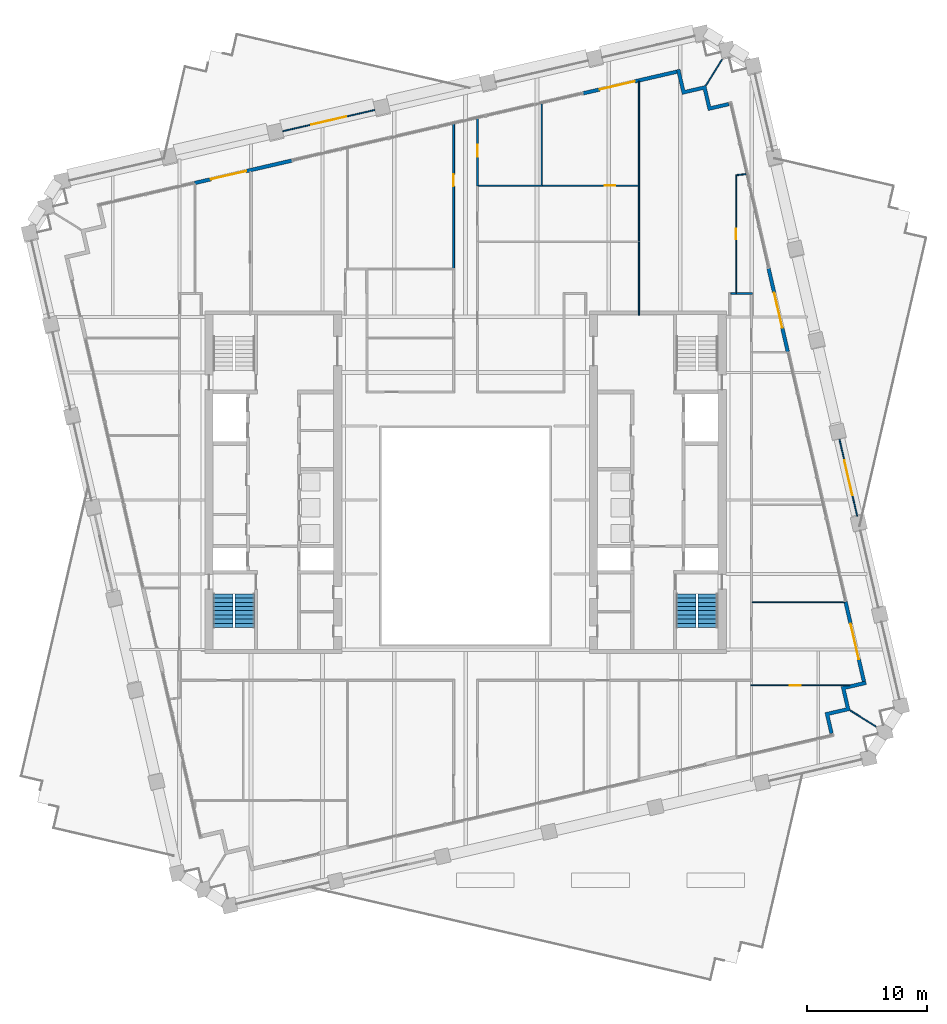
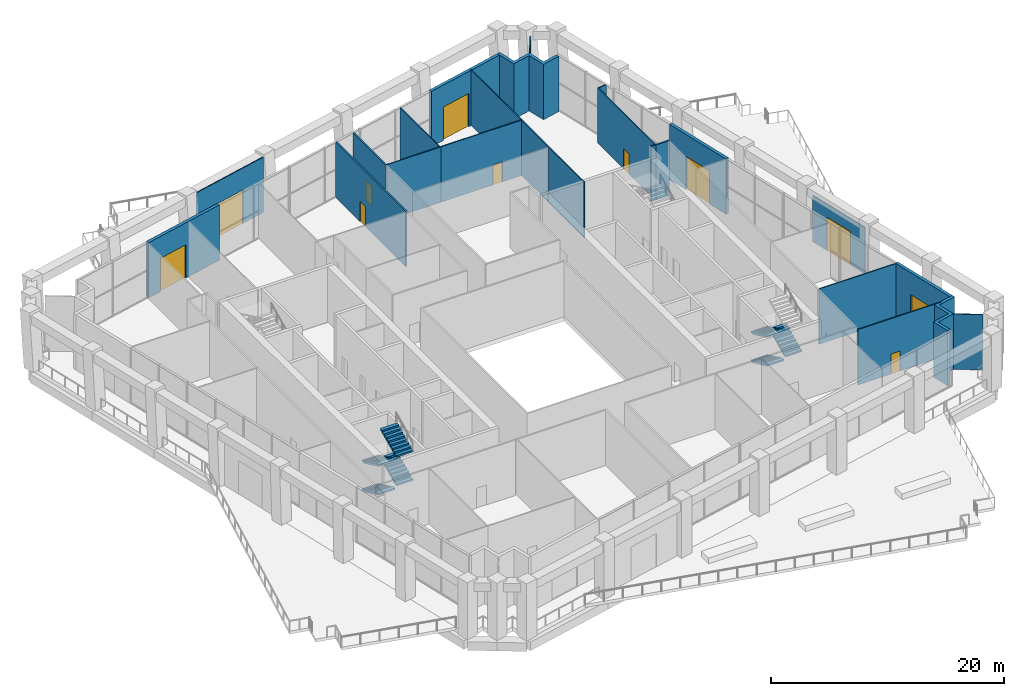
# One storey, part 16 of 24: 24 walls, 11 doors, 7 stair flights, 11 openings, 2 elements without a shape of their own.
"""IFC4 building model written with IfcOpenShell, lengths in metres."""

from ifc_helpers import new_model, si_unit, direction, frame, frame_2d, origin, place, context, subcontext, project, spatial, polyline, rectangle, outline, extrude, material, layer, layer_set, type_object, element, fill, aggregate, save


model = new_model("IFC4")

# Units and contexts
model_context = context("Model", 3, precision=1e-05, world=origin(), true_north=direction((0.0, 1.0)))
body_context = subcontext(model_context, "Body", "Model", "MODEL_VIEW")
ifc_project = project(units=[si_unit("LENGTHUNIT", "METRE"), si_unit("AREAUNIT", "SQUARE_METRE"), si_unit("VOLUMEUNIT", "CUBIC_METRE"), si_unit("PLANEANGLEUNIT", "RADIAN"), si_unit("MASSUNIT", "GRAM", prefix="KILO")], contexts=[model_context])

# Site, building, storey
site_placement = place(None, origin())
site = spatial("IfcSite", under=ifc_project, at=site_placement, CompositionType="ELEMENT")
building_placement = place(site_placement, origin())
building = spatial("IfcBuilding", under=site, at=building_placement, Name="Ogive Exchange Tower", CompositionType="ELEMENT")
storey_placement = place(building_placement, frame((0.0, 0.0, 165.60009765625)))
storey = spatial("IfcBuildingStorey", under=building, at=storey_placement, Name="L36", CompositionType="ELEMENT", Elevation=165.60009765625)

# Wall, opening, door
ifc_material_1 = material(Name="Fire partition EI 60 150")
ifc_layer_1 = layer(ifc_material_1, 0.14990234375)
ifc_layer_set_1 = layer_set([ifc_layer_1], Name="Fire partition EI 60 150")
wall_type_1 = type_object("IfcWallType", Name="Fire partition EI 60 150", PredefinedType="PARTITIONING", material=ifc_layer_set_1)
wall_1_placement = place(storey_placement, frame((-0.989990234375, 29.2900390625, 0.0), z_axis=(0.0, 0.0, 1.0), x_axis=(0.0, 1.0, 0.0)))
wall_1 = element("IfcWall", 1, at=wall_1_placement, inside=storey, type_object=wall_type_1, Name="L36-PWL-037", PredefinedType="PARTITIONING", context=body_context, shape_type="SweptSolid", body=[
    extrude(rectangle(XDim=12.005859375, YDim=0.14990234375, at=frame_2d((6.0029296875, 0.0))), origin(), (0.0, 0.0, 1.0), 5.7998046875),
])
opening_1_placement = place(wall_1_placement, frame((6.830078125, 0.0, 0.0)))
opening_1 = element("IfcOpeningElement", 2, at=opening_1_placement, cuts=wall_1, Name="Opening L36-I05", PredefinedType="OPENING", context=body_context, shape_type="SweptSolid", body=[
    extrude(rectangle(XDim=1.0, YDim=2.10009765625, at=frame_2d((0.5, 1.050048828125))), frame((0.0, 0.0849609375, 0.0), z_axis=(0.0, -1.0, 0.0), x_axis=(1.0, 0.0, 0.0)), (0.0, 0.0, 1.0), 0.169921875),
])
ifc_material_2 = material(Name="Fire door FD 30S 1000 x 2100")
door_type_1 = type_object("IfcDoorType", Name="Fire door FD 30S 1000 x 2100", OperationType="NOTDEFINED", PredefinedType="DOOR", material=ifc_material_2)
door_1_placement = place(opening_1_placement, origin())
door_1 = element("IfcDoor", 3, at=door_1_placement, inside=storey, type_object=door_type_1, Name="L36-IDR-005", ObjectType="DT3", OperationType="SINGLE_SWING_RIGHT", OverallHeight=2.10009765625, OverallWidth=1.0, PredefinedType="DOOR", context=body_context, shape_type="SweptSolid", body=[
    extrude(rectangle(XDim=1.0, YDim=2.10009765625, at=frame_2d((0.5, 1.050048828125))), frame((0.0, 0.02490234375, 0.0), z_axis=(0.0, -1.0, 0.0), x_axis=(1.0, 0.0, 0.0)), (0.0, 0.0, 1.0), 0.050048828125),
])
fill(opening_1, door_1)

wall_2_placement = place(storey_placement, frame((0.989990234375, 41.7529296875, 0.0), z_axis=(0.0, 0.0, 1.0), x_axis=(0.0, -1.0, 0.0)))
wall_2 = element("IfcWall", 4, at=wall_2_placement, inside=storey, type_object=wall_type_1, Name="L36-PWL-042", PredefinedType="PARTITIONING", context=body_context, shape_type="SweptSolid", body=[
    extrude(rectangle(XDim=5.6328125, YDim=0.14990234375, at=frame_2d((2.81640625, 0.0))), origin(), (0.0, 0.0, 1.0), 5.7998046875),
])
opening_2_placement = place(wall_2_placement, frame((2.18310546875, 0.0, 0.0)))
opening_2 = element("IfcOpeningElement", 5, at=opening_2_placement, cuts=wall_2, Name="Opening L36-I23", PredefinedType="OPENING", context=body_context, shape_type="SweptSolid", body=[
    extrude(rectangle(XDim=1.0, YDim=2.10009765625, at=frame_2d((0.5, 1.050048828125))), frame((0.0, 0.0849609375, 0.0), z_axis=(0.0, -1.0, 0.0), x_axis=(1.0, 0.0, 0.0)), (0.0, 0.0, 1.0), 0.169921875),
])
door_2_placement = place(opening_2_placement, origin())
door_2 = element("IfcDoor", 6, at=door_2_placement, inside=storey, type_object=door_type_1, Name="L36-IDR-023", ObjectType="DT3", OperationType="SINGLE_SWING_LEFT", OverallHeight=2.10009765625, OverallWidth=1.0, PredefinedType="DOOR", context=body_context, shape_type="SweptSolid", body=[
    extrude(rectangle(XDim=1.0, YDim=2.10009765625, at=frame_2d((0.5, 1.050048828125))), frame((0.0, 0.02490234375, 0.0), z_axis=(0.0, -1.0, 0.0), x_axis=(1.0, 0.0, 0.0)), (0.0, 0.0, 1.0), 0.050048828125),
])
fill(opening_2, door_2)

# Walls
wall_3_placement = place(storey_placement, frame((22.074951171875, 27.199951171875, 0.0), z_axis=(0.0, 0.0, 1.0), x_axis=(1.0, 0.0, 0.0)))
element("IfcWall", 7, at=wall_3_placement, inside=storey, type_object=wall_type_1, Name="L36-PWL-058", PredefinedType="PARTITIONING", context=body_context, shape_type="SweptSolid", body=[
    extrude(rectangle(XDim=0.445068359375, YDim=0.14990234375, at=frame_2d((0.22265625, 0.0))), origin(), (0.0, 0.0, 1.0), 5.7998046875),
])
wall_4_placement = place(storey_placement, frame((22.52001953125, 27.199951171875, 0.0), z_axis=(0.0, 0.0, 1.0), x_axis=(1.0, 0.0, 0.0)))
element("IfcWall", 8, at=wall_4_placement, inside=storey, type_object=wall_type_1, Name="L36-PWL-062", PredefinedType="PARTITIONING", context=body_context, shape_type="SweptSolid", body=[
    extrude(rectangle(XDim=1.35498046875, YDim=0.14990234375, at=frame_2d((0.677490234375, 0.0))), origin(), (0.0, 0.0, 1.0), 5.7998046875),
])

# Wall, opening, door
ifc_material_3 = material(Name="Precast concrete C40/50", Category="concrete")
ifc_layer_2 = layer(ifc_material_3, 0.300048828125)
ifc_layer_set_2 = layer_set([ifc_layer_2], Name="Limestone-faced wall 300")
wall_type_2 = type_object("IfcWallType", Name="Limestone-faced wall 300", PredefinedType="STANDARD", material=ifc_layer_set_2)
wall_5_placement = place(storey_placement, frame((33.1572265625, -5.092041015625, 0.0), z_axis=(0.0, 0.0, 1.0), x_axis=(-0.224961553766, 0.974367640743, 0.0)))
wall_5 = element("IfcWall", 9, at=wall_5_placement, inside=storey, type_object=wall_type_2, Name="External wall E3", PredefinedType="STANDARD", context=body_context, shape_type="SweptSolid", body=[
    extrude(rectangle(XDim=6.814208984375, YDim=0.300048828125, at=frame_2d((3.4072265625, 0.0))), origin(), (0.0, 0.0, 1.0), 5.7998046875),
])
opening_3_placement = place(wall_5_placement, frame((1.906982421875, 0.0, 0.0)))
opening_3 = element("IfcOpeningElement", 10, at=opening_3_placement, cuts=wall_5, Name="Opening D2", PredefinedType="OPENING", context=body_context, shape_type="SweptSolid", body=[
    extrude(rectangle(XDim=3.0, YDim=3.5, at=frame_2d((1.5, 1.75))), frame((0.0, 0.159912109375, 0.0), z_axis=(0.0, -1.0, 0.0), x_axis=(1.0, 0.0, 0.0)), (0.0, 0.0, 1.0), 0.320068359375),
])
ifc_material_4 = material(Name="Clear glass in bronze frame", Category="glass")
door_type_2 = type_object("IfcDoorType", Name="Winter garden sliding door 3000 x 3500", OperationType="DOUBLE_DOOR_SLIDING", PredefinedType="DOOR", material=ifc_material_4)
door_3_placement = place(opening_3_placement, origin())
door_3 = element("IfcDoor", 11, at=door_3_placement, inside=storey, type_object=door_type_2, Name="Loggia door E00", OperationType="DOUBLE_DOOR_SLIDING", OverallHeight=3.5, OverallWidth=3.0, PredefinedType="DOOR", context=body_context, shape_type="SweptSolid", body=[
    extrude(rectangle(XDim=3.0, YDim=3.5, at=frame_2d((1.5, 1.75))), frame((0.0, 0.02490234375, 0.0), z_axis=(0.0, -1.0, 0.0), x_axis=(1.0, 0.0, 0.0)), (0.0, 0.0, 1.0), 0.050048828125),
])
fill(opening_3, door_3)

wall_6_placement = place(storey_placement, frame((26.8232421875, 22.34326171875, 0.0), z_axis=(0.0, 0.0, 1.0), x_axis=(-0.22494221161, 0.974372106249, 0.0)))
wall_6 = element("IfcWall", 12, at=wall_6_placement, inside=storey, type_object=wall_type_2, Name="External wall E4", PredefinedType="STANDARD", context=body_context, shape_type="SweptSolid", body=[
    extrude(rectangle(XDim=7.114501953125, YDim=0.300048828125, at=frame_2d((3.55712890625, 0.0))), origin(), (0.0, 0.0, 1.0), 5.7998046875),
])
opening_4_placement = place(wall_6_placement, frame((2.05712890625, 0.0, 0.0)))
opening_4 = element("IfcOpeningElement", 13, at=opening_4_placement, cuts=wall_6, Name="Opening D2", PredefinedType="OPENING", context=body_context, shape_type="SweptSolid", body=[
    extrude(rectangle(XDim=3.0, YDim=3.5, at=frame_2d((1.5, 1.75))), frame((0.0, 0.159912109375, 0.0), z_axis=(0.0, -1.0, 0.0), x_axis=(1.0, 0.0, 0.0)), (0.0, 0.0, 1.0), 0.320068359375),
])
door_4_placement = place(opening_4_placement, origin())
door_4 = element("IfcDoor", 14, at=door_4_placement, inside=storey, type_object=door_type_2, Name="Loggia door E04", OperationType="DOUBLE_DOOR_SLIDING", OverallHeight=3.5, OverallWidth=3.0, PredefinedType="DOOR", context=body_context, shape_type="SweptSolid", body=[
    extrude(rectangle(XDim=3.0, YDim=3.5, at=frame_2d((1.5, 1.75))), frame((0.0, 0.02490234375, 0.0), z_axis=(0.0, -1.0, 0.0), x_axis=(1.0, 0.0, 0.0)), (0.0, 0.0, 1.0), 0.050048828125),
])
fill(opening_4, door_4)

wall_7_placement = place(storey_placement, frame((17.592041015625, 45.6572265625, 0.0), z_axis=(0.0, 0.0, 1.0), x_axis=(-0.974371132389, -0.224946429994, 0.0)))
wall_7 = element("IfcWall", 15, at=wall_7_placement, inside=storey, type_object=wall_type_2, Name="External wall N5", PredefinedType="STANDARD", context=body_context, shape_type="SweptSolid", body=[
    extrude(rectangle(XDim=8.0, YDim=0.300048828125, at=frame_2d((4.0, 0.0))), origin(), (0.0, 0.0, 1.0), 5.7998046875),
])
opening_5_placement = place(wall_7_placement, frame((3.60009765625, 0.0, 0.0)))
opening_5 = element("IfcOpeningElement", 16, at=opening_5_placement, cuts=wall_7, Name="Opening D2", PredefinedType="OPENING", context=body_context, shape_type="SweptSolid", body=[
    extrude(rectangle(XDim=3.0, YDim=3.5, at=frame_2d((1.5, 1.75))), frame((0.0, 0.159912109375, 0.0), z_axis=(0.0, -1.0, 0.0), x_axis=(1.0, 0.0, 0.0)), (0.0, 0.0, 1.0), 0.320068359375),
])
door_5_placement = place(opening_5_placement, origin())
door_5 = element("IfcDoor", 17, at=door_5_placement, inside=storey, type_object=door_type_2, Name="Loggia door N00", OperationType="DOUBLE_DOOR_SLIDING", OverallHeight=3.5, OverallWidth=3.0, PredefinedType="DOOR", context=body_context, shape_type="SweptSolid", body=[
    extrude(rectangle(XDim=3.0, YDim=3.5, at=frame_2d((1.5, 1.75))), frame((0.0, 0.02490234375, 0.0), z_axis=(0.0, -1.0, 0.0), x_axis=(1.0, 0.0, 0.0)), (0.0, 0.0, 1.0), 0.050048828125),
])
fill(opening_5, door_5)

wall_8_placement = place(storey_placement, frame((-14.464599609375, 38.25634765625, 0.0), z_axis=(0.0, 0.0, 1.0), x_axis=(-0.974368386566, -0.224958323385, 0.0)))
wall_8 = element("IfcWall", 18, at=wall_8_placement, inside=storey, type_object=wall_type_2, Name="External wall N6", PredefinedType="STANDARD", context=body_context, shape_type="SweptSolid", body=[
    extrude(rectangle(XDim=8.300048828125, YDim=0.300048828125, at=frame_2d((4.14990234375, 0.0))), origin(), (0.0, 0.0, 1.0), 5.7998046875),
])
opening_6_placement = place(wall_8_placement, frame((3.89990234375, 0.0, 0.0)))
opening_6 = element("IfcOpeningElement", 19, at=opening_6_placement, cuts=wall_8, Name="Opening D2", PredefinedType="OPENING", context=body_context, shape_type="SweptSolid", body=[
    extrude(rectangle(XDim=3.0, YDim=3.5, at=frame_2d((1.5, 1.75))), frame((0.0, 0.159912109375, 0.0), z_axis=(0.0, -1.0, 0.0), x_axis=(1.0, 0.0, 0.0)), (0.0, 0.0, 1.0), 0.320068359375),
])
door_6_placement = place(opening_6_placement, origin())
door_6 = element("IfcDoor", 20, at=door_6_placement, inside=storey, type_object=door_type_2, Name="Loggia door N04", OperationType="DOUBLE_DOOR_SLIDING", OverallHeight=3.5, OverallWidth=3.0, PredefinedType="DOOR", context=body_context, shape_type="SweptSolid", body=[
    extrude(rectangle(XDim=3.0, YDim=3.5, at=frame_2d((1.5, 1.75))), frame((0.0, 0.02490234375, 0.0), z_axis=(0.0, -1.0, 0.0), x_axis=(1.0, 0.0, 0.0)), (0.0, 0.0, 1.0), 0.050048828125),
])
fill(opening_6, door_6)

# Walls
wall_9_placement = place(storey_placement, origin())
element("IfcWall", 21, at=wall_9_placement, inside=storey, type_object=wall_type_2, Name="External corner wall C1", PredefinedType="STANDARD", context=body_context, shape_type="SweptSolid", body=[
    extrude(outline(polyline([(31.662109375, -7.28466796875), (31.257080078125, -5.53076171875), (33.30322265625, -5.058349609375), (33.370849609375, -5.3505859375), (31.616943359375, -5.755615234375), (32.02197265625, -7.509521484375), (30.26806640625, -7.914306640625), (30.60546875, -9.3759765625), (30.31298828125, -9.443359375), (29.908203125, -7.689697265625), (31.662109375, -7.28466796875)])), origin(), (0.0, 0.0, 1.0), 5.7998046875),
])
wall_10_placement = place(storey_placement, origin())
element("IfcWall", 22, at=wall_10_placement, inside=storey, type_object=wall_type_2, Name="External corner wall C2", PredefinedType="STANDARD", context=body_context, shape_type="SweptSolid", body=[
    extrude(outline(polyline([(19.78466796875, 44.162109375), (18.03076171875, 43.757080078125), (17.558349609375, 45.80322265625), (17.8505859375, 45.870849609375), (18.255615234375, 44.116943359375), (20.009521484375, 44.52197265625), (20.414306640625, 42.76806640625), (21.8759765625, 43.10546875), (21.943359375, 42.81298828125), (20.189697265625, 42.408203125), (19.78466796875, 44.162109375)])), origin(), (0.0, 0.0, 1.0), 5.7998046875),
])
ifc_material_5 = material(Name="Laminated safety glass in steel frame", Category="steel")
ifc_layer_3 = layer(ifc_material_5, 0.10009765625)
ifc_layer_set_3 = layer_set([ifc_layer_3], Name="Loggia end screen 100")
wall_type_3 = type_object("IfcWallType", Name="Loggia end screen 100", PredefinedType="STANDARD", material=ifc_layer_set_3)
for number, where, z_axis, x_axis, name in (
    (23, (32.02197265625, -7.509521484375, 0.0), (0.0, 0.0, 1.0), (0.848047176257, -0.529920736377, 0.0), "Loggia end screen C1"),
    (24, (20.009521484375, 44.52197265625, 0.0), (0.0, 0.0, 1.0), (0.529920736377, 0.848047176257, 0.0), "Loggia end screen C2"),
):
    element("IfcWall", number, at=place(storey_placement, frame(where, z_axis=z_axis, x_axis=x_axis)), inside=storey, type_object=wall_type_3, Name=name, PredefinedType="STANDARD", context=body_context, shape_type="SweptSolid", body=[
        extrude(rectangle(XDim=2.525634765625, YDim=0.10009765625, at=frame_2d((1.2626953125, 0.0))), origin(), (0.0, 0.0, 1.0), 5.7998046875),
    ])

# Wall, opening, door
wall_11_placement = place(storey_placement, frame((32.6005859375, 8.655029296875, 0.0), z_axis=(0.0, 0.0, 1.0), x_axis=(-0.224973663593, 0.974364844752, 0.0)))
wall_11 = element("IfcWall", 25, at=wall_11_placement, inside=storey, type_object=wall_type_3, Name="Terrace screen E02", PredefinedType="STANDARD", context=body_context, shape_type="SweptSolid", body=[
    extrude(rectangle(XDim=6.56005859375, YDim=0.10009765625, at=frame_2d((3.280029296875, 0.0))), origin(), (0.0, 0.0, 1.0), 4.849853515625),
])
opening_7_placement = place(wall_11_placement, frame((1.780029296875, 0.0, 0.0)))
opening_7 = element("IfcOpeningElement", 26, at=opening_7_placement, cuts=wall_11, Name="Opening D4", PredefinedType="OPENING", context=body_context, shape_type="SweptSolid", body=[
    extrude(rectangle(XDim=3.0, YDim=3.5, at=frame_2d((1.5, 1.75))), frame((0.0, 0.06005859375, 0.0), z_axis=(0.0, -1.0, 0.0), x_axis=(1.0, 0.0, 0.0)), (0.0, 0.0, 1.0), 0.1201171875),
])
door_type_3 = type_object("IfcDoorType", Name="Terrace sliding door 3000 x 3500", OperationType="DOUBLE_DOOR_SLIDING", PredefinedType="DOOR", material=ifc_material_4)
door_7_placement = place(opening_7_placement, origin())
door_7 = element("IfcDoor", 27, at=door_7_placement, inside=storey, type_object=door_type_3, Name="Terrace door E02", OperationType="DOUBLE_DOOR_SLIDING", OverallHeight=3.5, OverallWidth=3.0, PredefinedType="DOOR", context=body_context, shape_type="SweptSolid", body=[
    extrude(rectangle(XDim=3.0, YDim=3.5, at=frame_2d((1.5, 1.75))), frame((0.0, 0.02490234375, 0.0), z_axis=(0.0, -1.0, 0.0), x_axis=(1.0, 0.0, 0.0)), (0.0, 0.0, 1.0), 0.050048828125),
])
fill(opening_7, door_7)

wall_12_placement = place(storey_placement, frame((-7.55517578125, 42.468505859375, 0.0), z_axis=(0.0, 0.0, 1.0), x_axis=(-0.974370774795, -0.22494797893, 0.0)))
wall_12 = element("IfcWall", 28, at=wall_12_placement, inside=storey, type_object=wall_type_3, Name="Terrace screen N03", PredefinedType="STANDARD", context=body_context, shape_type="SweptSolid", body=[
    extrude(rectangle(XDim=7.85986328125, YDim=0.10009765625, at=frame_2d((3.929931640625, 0.0))), origin(), (0.0, 0.0, 1.0), 5.7998046875),
])
opening_8_placement = place(wall_12_placement, frame((2.429931640625, 0.0, 0.0)))
opening_8 = element("IfcOpeningElement", 29, at=opening_8_placement, cuts=wall_12, Name="Opening D4", PredefinedType="OPENING", context=body_context, shape_type="SweptSolid", body=[
    extrude(rectangle(XDim=3.0, YDim=3.5, at=frame_2d((1.5, 1.75))), frame((0.0, 0.06005859375, 0.0), z_axis=(0.0, -1.0, 0.0), x_axis=(1.0, 0.0, 0.0)), (0.0, 0.0, 1.0), 0.1201171875),
])
door_8_placement = place(opening_8_placement, origin())
door_8 = element("IfcDoor", 30, at=door_8_placement, inside=storey, type_object=door_type_3, Name="Terrace door N03", OperationType="DOUBLE_DOOR_SLIDING", OverallHeight=3.5, OverallWidth=3.0, PredefinedType="DOOR", context=body_context, shape_type="SweptSolid", body=[
    extrude(rectangle(XDim=3.0, YDim=3.5, at=frame_2d((1.5, 1.75))), frame((0.0, 0.02490234375, 0.0), z_axis=(0.0, -1.0, 0.0), x_axis=(1.0, 0.0, 0.0)), (0.0, 0.0, 1.0), 0.050048828125),
])
fill(opening_8, door_8)

# Walls
ifc_material_6 = material(Name="Partition 100 gypsum")
ifc_layer_4 = layer(ifc_material_6, 0.10009765625)
ifc_layer_set_4 = layer_set([ifc_layer_4], Name="Partition 100 gypsum")
wall_type_4 = type_object("IfcWallType", Name="Partition 100 gypsum", PredefinedType="PARTITIONING", material=ifc_layer_set_4)
wall_13_placement = place(storey_placement, frame((6.389892578125, 36.169921875, 0.0), z_axis=(0.0, 0.0, 1.0), x_axis=(-1.0, 0.0, 0.0)))
element("IfcWall", 31, at=wall_13_placement, inside=storey, type_object=wall_type_4, Name="L36-PWL-043", PredefinedType="PARTITIONING", context=body_context, shape_type="SweptSolid", body=[
    extrude(rectangle(XDim=5.324951171875, YDim=0.10009765625, at=frame_2d((2.66259765625, 0.0))), origin(), (0.0, 0.0, 1.0), 5.7998046875),
])
wall_14_placement = place(storey_placement, frame((6.340087890625, 36.219970703125, 0.0), z_axis=(0.0, 0.0, 1.0), x_axis=(0.0, 1.0, 0.0)))
element("IfcWall", 32, at=wall_14_placement, inside=storey, type_object=wall_type_4, Name="L36-PWL-044", PredefinedType="PARTITIONING", context=body_context, shape_type="SweptSolid", body=[
    extrude(rectangle(XDim=6.76806640625, YDim=0.10009765625, at=frame_2d((3.384033203125, 0.0))), origin(), (0.0, 0.0, 1.0), 5.7998046875),
])
wall_15_placement = place(storey_placement, frame((14.429931640625, 31.449951171875, 0.0), z_axis=(0.0, 0.0, 1.0), x_axis=(0.0, -1.0, 0.0)))
element("IfcWall", 33, at=wall_15_placement, inside=storey, type_object=wall_type_4, Name="L36-PWL-053", PredefinedType="PARTITIONING", context=body_context, shape_type="SweptSolid", body=[
    extrude(rectangle(XDim=6.050048828125, YDim=0.10009765625, at=frame_2d((3.02490234375, 0.0))), origin(), (0.0, 0.0, 1.0), 5.7998046875),
])

# Wall, opening, door
wall_16_placement = place(storey_placement, frame((14.47998046875, 36.169921875, 0.0), z_axis=(0.0, 0.0, 1.0), x_axis=(-1.0, 0.0, 0.0)))
wall_16 = element("IfcWall", 34, at=wall_16_placement, inside=storey, type_object=wall_type_4, Name="L36-PWL-054", PredefinedType="PARTITIONING", context=body_context, shape_type="SweptSolid", body=[
    extrude(rectangle(XDim=8.139892578125, YDim=0.10009765625, at=frame_2d((4.06982421875, 0.0))), origin(), (0.0, 0.0, 1.0), 5.7998046875),
])
opening_9_placement = place(wall_16_placement, frame((2.0, 0.0, 0.0)))
opening_9 = element("IfcOpeningElement", 35, at=opening_9_placement, cuts=wall_16, Name="Opening L36-I22", PredefinedType="OPENING", context=body_context, shape_type="SweptSolid", body=[
    extrude(rectangle(XDim=0.89990234375, YDim=2.10009765625, at=frame_2d((0.449951171875, 1.050048828125))), frame((0.0, 0.06005859375, 0.0), z_axis=(0.0, -1.0, 0.0), x_axis=(1.0, 0.0, 0.0)), (0.0, 0.0, 1.0), 0.1201171875),
])
ifc_material_7 = material(Name="Door 900 x 2100")
door_type_4 = type_object("IfcDoorType", Name="Door 900 x 2100", OperationType="NOTDEFINED", PredefinedType="DOOR", material=ifc_material_7)
door_9_placement = place(opening_9_placement, origin())
door_9 = element("IfcDoor", 36, at=door_9_placement, inside=storey, type_object=door_type_4, Name="L36-IDR-022", ObjectType="DT1", OperationType="SINGLE_SWING_RIGHT", OverallHeight=2.10009765625, OverallWidth=0.89990234375, PredefinedType="DOOR", context=body_context, shape_type="SweptSolid", body=[
    extrude(rectangle(XDim=0.89990234375, YDim=2.10009765625, at=frame_2d((0.449951171875, 1.050048828125))), frame((0.0, 0.02490234375, 0.0), z_axis=(0.0, -1.0, 0.0), x_axis=(1.0, 0.0, 0.0)), (0.0, 0.0, 1.0), 0.050048828125),
])
fill(opening_9, door_9)

# Walls
wall_17_placement = place(storey_placement, frame((14.429931640625, 36.1201171875, 0.0), z_axis=(0.0, 0.0, 1.0), x_axis=(0.0, -1.0, 0.0)))
element("IfcWall", 37, at=wall_17_placement, inside=storey, type_object=wall_type_4, Name="L36-PWL-055", PredefinedType="PARTITIONING", context=body_context, shape_type="SweptSolid", body=[
    extrude(rectangle(XDim=4.570068359375, YDim=0.10009765625, at=frame_2d((2.28515625, 0.0))), origin(), (0.0, 0.0, 1.0), 5.7998046875),
])
wall_18_placement = place(storey_placement, frame((14.429931640625, 44.85595703125, 0.0), z_axis=(0.0, 0.0, 1.0), x_axis=(0.0, -1.0, 0.0)))
element("IfcWall", 38, at=wall_18_placement, inside=storey, type_object=wall_type_4, Name="L36-PWL-056", PredefinedType="PARTITIONING", context=body_context, shape_type="SweptSolid", body=[
    extrude(rectangle(XDim=8.635986328125, YDim=0.10009765625, at=frame_2d((4.31787109375, 0.0))), origin(), (0.0, 0.0, 1.0), 5.7998046875),
])

# Wall, opening, door
wall_19_placement = place(storey_placement, frame((22.52001953125, 27.27490234375, 0.0), z_axis=(0.0, 0.0, 1.0), x_axis=(0.0, 1.0, 0.0)))
wall_19 = element("IfcWall", 39, at=wall_19_placement, inside=storey, type_object=wall_type_4, Name="L36-PWL-061", PredefinedType="PARTITIONING", context=body_context, shape_type="SweptSolid", body=[
    extrude(rectangle(XDim=9.815185546875, YDim=0.10009765625, at=frame_2d((4.90771484375, 0.0))), origin(), (0.0, 0.0, 1.0), 5.7998046875),
])
opening_10_placement = place(wall_19_placement, frame((4.4150390625, 0.0, 0.0)))
opening_10 = element("IfcOpeningElement", 40, at=opening_10_placement, cuts=wall_19, Name="Opening L36-I26", PredefinedType="OPENING", context=body_context, shape_type="SweptSolid", body=[
    extrude(rectangle(XDim=0.89990234375, YDim=2.10009765625, at=frame_2d((0.449951171875, 1.050048828125))), frame((0.0, 0.06005859375, 0.0), z_axis=(0.0, -1.0, 0.0), x_axis=(1.0, 0.0, 0.0)), (0.0, 0.0, 1.0), 0.1201171875),
])
door_10_placement = place(opening_10_placement, frame((0.89990234375, 0.0, 0.0), z_axis=(0.0, 0.0, 1.0), x_axis=(-1.0, 0.0, 0.0)))
door_10 = element("IfcDoor", 41, at=door_10_placement, inside=storey, type_object=door_type_4, Name="L36-IDR-026", ObjectType="DT1", OperationType="SINGLE_SWING_LEFT", OverallHeight=2.10009765625, OverallWidth=0.89990234375, PredefinedType="DOOR", context=body_context, shape_type="SweptSolid", body=[
    extrude(rectangle(XDim=0.89990234375, YDim=2.10009765625, at=frame_2d((0.449951171875, 1.050048828125))), frame((0.0, 0.02490234375, 0.0), z_axis=(0.0, -1.0, 0.0), x_axis=(1.0, 0.0, 0.0)), (0.0, 0.0, 1.0), 0.050048828125),
])
fill(opening_10, door_10)

# Wall
wall_20_placement = place(storey_placement, frame((22.570068359375, 37.0458984375, 0.0), z_axis=(0.0, 0.0, 1.0), x_axis=(0.993315815268, 0.115428294356, 0.0)))
element("IfcWall", 42, at=wall_20_placement, inside=storey, type_object=wall_type_4, Name="L36-PWL-063", PredefinedType="PARTITIONING", context=body_context, shape_type="SweptSolid", body=[
    extrude(rectangle(XDim=0.77197265625, YDim=0.10009765625, at=frame_2d((0.385986328125, 0.0))), origin(), (0.0, 0.0, 1.0), 5.7998046875),
])

# Wall, opening, door
wall_21_placement = place(storey_placement, frame((23.739990234375, -5.419921875, 0.0), z_axis=(0.0, 0.0, 1.0), x_axis=(1.0, 0.0, 0.0)))
wall_21 = element("IfcWall", 43, at=wall_21_placement, inside=storey, type_object=wall_type_4, Name="L36-PWL-064", PredefinedType="PARTITIONING", context=body_context, shape_type="SweptSolid", body=[
    extrude(rectangle(XDim=8.241943359375, YDim=0.10009765625, at=frame_2d((4.12109375, 0.0))), origin(), (0.0, 0.0, 1.0), 5.7998046875),
])
opening_11_placement = place(wall_21_placement, frame((3.25, 0.0, 0.0)))
opening_11 = element("IfcOpeningElement", 44, at=opening_11_placement, cuts=wall_21, Name="Opening L36-I20", PredefinedType="OPENING", context=body_context, shape_type="SweptSolid", body=[
    extrude(rectangle(XDim=0.89990234375, YDim=2.10009765625, at=frame_2d((0.449951171875, 1.050048828125))), frame((0.0, 0.06005859375, 0.0), z_axis=(0.0, -1.0, 0.0), x_axis=(1.0, 0.0, 0.0)), (0.0, 0.0, 1.0), 0.1201171875),
])
door_11_placement = place(opening_11_placement, frame((0.89990234375, 0.0, 0.0), z_axis=(0.0, 0.0, 1.0), x_axis=(-1.0, 0.0, 0.0)))
door_11 = element("IfcDoor", 45, at=door_11_placement, inside=storey, type_object=door_type_4, Name="L36-IDR-020", ObjectType="DT1", OperationType="SINGLE_SWING_RIGHT", OverallHeight=2.10009765625, OverallWidth=0.89990234375, PredefinedType="DOOR", context=body_context, shape_type="SweptSolid", body=[
    extrude(rectangle(XDim=0.89990234375, YDim=2.10009765625, at=frame_2d((0.449951171875, 1.050048828125))), frame((0.0, 0.02490234375, 0.0), z_axis=(0.0, -1.0, 0.0), x_axis=(1.0, 0.0, 0.0)), (0.0, 0.0, 1.0), 0.050048828125),
])
fill(opening_11, door_11)

# Wall
wall_22_placement = place(storey_placement, frame((31.56201171875, 1.510009765625, 0.0), z_axis=(0.0, 0.0, 1.0), x_axis=(-1.0, 0.0, 0.0)))
element("IfcWall", 46, at=wall_22_placement, inside=storey, type_object=wall_type_4, Name="L36-PWL-072", PredefinedType="PARTITIONING", context=body_context, shape_type="SweptSolid", body=[
    extrude(rectangle(XDim=7.68701171875, YDim=0.10009765625, at=frame_2d((3.843505859375, 0.0))), origin(), (0.0, 0.0, 1.0), 5.7998046875),
])

# Stair, stair flights
ifc_material_8 = material(Name="Concrete C40/50", Category="concrete")
stair_type = type_object("IfcStairType", Name="Exit stair 1650 wide", PredefinedType="HALF_TURN_STAIR", material=ifc_material_8)
stair_1_placement = place(storey_placement, origin())
stair_1 = element("IfcStair", 47, at=stair_1_placement, inside=storey, type_object=stair_type, Name="L36 exit stair ST1", PredefinedType="HALF_TURN_STAIR")
stair_flight_type = type_object("IfcStairFlightType", Name="Stair flight 1650 wide", PredefinedType="STRAIGHT", material=ifc_material_8)
stair_flight_1_placement = place(storey_placement, frame((-20.175048828125, 2.199951171875, 0.0), z_axis=(0.0, 0.0, 1.0), x_axis=(0.0, -1.0, 0.0)))
stair_flight_1 = element("IfcStairFlight", 48, at=stair_flight_1_placement, type_object=stair_flight_type, Name="ST1 flight 1", NumberOfRisers=9, NumberOfTreads=8, PredefinedType="STRAIGHT", RiserHeight=0.166666667, TreadLength=0.351, context=body_context, shape_type="SweptSolid", body=[
    extrude(outline(polyline([(0.0, 0.0), (0.0, 0.166748046875), (0.35107421875, 0.166748046875), (0.35107421875, 0.333251953125), (0.701904296875, 0.333251953125), (0.701904296875, 0.5), (1.052978515625, 0.5), (1.052978515625, 0.666748046875), (1.404052734375, 0.666748046875), (1.404052734375, 0.833251953125), (1.7548828125, 0.833251953125), (1.7548828125, 1.0), (2.10595703125, 1.0), (2.10595703125, 1.166748046875), (2.45703125, 1.166748046875), (2.45703125, 1.333251953125), (2.80810546875, 1.333251953125), (2.80810546875, 1.5), (2.80810546875, 1.16748046875), (0.349365234375, 0.0), (0.0, 0.0)])), frame((0.0, 0.824951171875, 0.0), z_axis=(0.0, -1.0, 0.0), x_axis=(1.0, 0.0, 0.0)), (0.0, 0.0, 1.0), 1.64990234375),
])
stair_flight_2_placement = place(storey_placement, frame((-18.375, -0.60791015625, 1.5), z_axis=(0.0, 0.0, 1.0), x_axis=(0.0, 1.0, 0.0)))
stair_flight_2 = element("IfcStairFlight", 49, at=stair_flight_2_placement, type_object=stair_flight_type, Name="ST1 flight 2", NumberOfRisers=9, NumberOfTreads=8, PredefinedType="STRAIGHT", RiserHeight=0.166666667, TreadLength=0.351, context=body_context, shape_type="SweptSolid", body=[
    extrude(outline(polyline([(0.0, 0.0), (0.0, 0.166748046875), (0.35107421875, 0.166748046875), (0.35107421875, 0.333251953125), (0.701904296875, 0.333251953125), (0.701904296875, 0.5), (1.052978515625, 0.5), (1.052978515625, 0.666748046875), (1.404052734375, 0.666748046875), (1.404052734375, 0.833251953125), (1.7548828125, 0.833251953125), (1.7548828125, 1.0), (2.10595703125, 1.0), (2.10595703125, 1.166748046875), (2.45703125, 1.166748046875), (2.45703125, 1.333251953125), (2.80810546875, 1.333251953125), (2.80810546875, 1.5), (2.80810546875, 1.16748046875), (0.349365234375, 0.0), (0.0, 0.0)])), frame((0.0, 0.824951171875, 0.0), z_axis=(0.0, -1.0, 0.0), x_axis=(1.0, 0.0, 0.0)), (0.0, 0.0, 1.0), 1.64990234375),
])
stair_flight_3_placement = place(storey_placement, frame((-20.175048828125, 2.199951171875, 3.0), z_axis=(0.0, 0.0, 1.0), x_axis=(0.0, -1.0, 0.0)))
stair_flight_3 = element("IfcStairFlight", 50, at=stair_flight_3_placement, type_object=stair_flight_type, Name="ST1 flight 3", NumberOfRisers=9, NumberOfTreads=8, PredefinedType="STRAIGHT", RiserHeight=0.166666667, TreadLength=0.351, context=body_context, shape_type="SweptSolid", body=[
    extrude(outline(polyline([(0.0, 0.0), (0.0, 0.166748046875), (0.35107421875, 0.166748046875), (0.35107421875, 0.333251953125), (0.701904296875, 0.333251953125), (0.701904296875, 0.5), (1.052978515625, 0.5), (1.052978515625, 0.666748046875), (1.404052734375, 0.666748046875), (1.404052734375, 0.833251953125), (1.7548828125, 0.833251953125), (1.7548828125, 1.0), (2.10595703125, 1.0), (2.10595703125, 1.166748046875), (2.45703125, 1.166748046875), (2.45703125, 1.333251953125), (2.80810546875, 1.333251953125), (2.80810546875, 1.5), (2.80810546875, 1.16748046875), (0.349365234375, 0.0), (0.0, 0.0)])), frame((0.0, 0.824951171875, 0.0), z_axis=(0.0, -1.0, 0.0), x_axis=(1.0, 0.0, 0.0)), (0.0, 0.0, 1.0), 1.64990234375),
])
stair_flight_4_placement = place(storey_placement, frame((-18.375, -0.60791015625, 4.5), z_axis=(0.0, 0.0, 1.0), x_axis=(0.0, 1.0, 0.0)))
stair_flight_4 = element("IfcStairFlight", 51, at=stair_flight_4_placement, type_object=stair_flight_type, Name="ST1 flight 4", NumberOfRisers=9, NumberOfTreads=8, PredefinedType="STRAIGHT", RiserHeight=0.166666667, TreadLength=0.351, context=body_context, shape_type="SweptSolid", body=[
    extrude(outline(polyline([(0.0, 0.0), (0.0, 0.166748046875), (0.35107421875, 0.166748046875), (0.35107421875, 0.333251953125), (0.701904296875, 0.333251953125), (0.701904296875, 0.5), (1.052978515625, 0.5), (1.052978515625, 0.666748046875), (1.404052734375, 0.666748046875), (1.404052734375, 0.833251953125), (1.7548828125, 0.833251953125), (1.7548828125, 1.0), (2.10595703125, 1.0), (2.10595703125, 1.166748046875), (2.45703125, 1.166748046875), (2.45703125, 1.333251953125), (2.80810546875, 1.333251953125), (2.80810546875, 1.5), (2.80810546875, 1.16748046875), (0.349365234375, 0.0), (0.0, 0.0)])), frame((0.0, 0.824951171875, 0.0), z_axis=(0.0, -1.0, 0.0), x_axis=(1.0, 0.0, 0.0)), (0.0, 0.0, 1.0), 1.64990234375),
])
aggregate(stair_1, [stair_flight_1, stair_flight_2, stair_flight_3, stair_flight_4])

stair_2_placement = place(storey_placement, origin())
stair_2 = element("IfcStair", 52, at=stair_2_placement, inside=storey, type_object=stair_type, Name="L36 exit stair ST3", PredefinedType="HALF_TURN_STAIR")
stair_flight_5_placement = place(storey_placement, frame((18.375, 2.199951171875, 0.0), z_axis=(0.0, 0.0, 1.0), x_axis=(0.0, -1.0, 0.0)))
stair_flight_5 = element("IfcStairFlight", 53, at=stair_flight_5_placement, type_object=stair_flight_type, Name="ST3 flight 1", NumberOfRisers=9, NumberOfTreads=8, PredefinedType="STRAIGHT", RiserHeight=0.166666667, TreadLength=0.351, context=body_context, shape_type="SweptSolid", body=[
    extrude(outline(polyline([(0.0, 0.0), (0.0, 0.166748046875), (0.35107421875, 0.166748046875), (0.35107421875, 0.333251953125), (0.701904296875, 0.333251953125), (0.701904296875, 0.5), (1.052978515625, 0.5), (1.052978515625, 0.666748046875), (1.404052734375, 0.666748046875), (1.404052734375, 0.833251953125), (1.7548828125, 0.833251953125), (1.7548828125, 1.0), (2.10595703125, 1.0), (2.10595703125, 1.166748046875), (2.45703125, 1.166748046875), (2.45703125, 1.333251953125), (2.80810546875, 1.333251953125), (2.80810546875, 1.5), (2.80810546875, 1.16748046875), (0.349365234375, 0.0), (0.0, 0.0)])), frame((0.0, 0.824951171875, 0.0), z_axis=(0.0, -1.0, 0.0), x_axis=(1.0, 0.0, 0.0)), (0.0, 0.0, 1.0), 1.64990234375),
])
stair_flight_6_placement = place(storey_placement, frame((20.175048828125, -0.60791015625, 1.5), z_axis=(0.0, 0.0, 1.0), x_axis=(0.0, 1.0, 0.0)))
stair_flight_6 = element("IfcStairFlight", 54, at=stair_flight_6_placement, type_object=stair_flight_type, Name="ST3 flight 2", NumberOfRisers=9, NumberOfTreads=8, PredefinedType="STRAIGHT", RiserHeight=0.166666667, TreadLength=0.351, context=body_context, shape_type="SweptSolid", body=[
    extrude(outline(polyline([(0.0, 0.0), (0.0, 0.166748046875), (0.35107421875, 0.166748046875), (0.35107421875, 0.333251953125), (0.701904296875, 0.333251953125), (0.701904296875, 0.5), (1.052978515625, 0.5), (1.052978515625, 0.666748046875), (1.404052734375, 0.666748046875), (1.404052734375, 0.833251953125), (1.7548828125, 0.833251953125), (1.7548828125, 1.0), (2.10595703125, 1.0), (2.10595703125, 1.166748046875), (2.45703125, 1.166748046875), (2.45703125, 1.333251953125), (2.80810546875, 1.333251953125), (2.80810546875, 1.5), (2.80810546875, 1.16748046875), (0.349365234375, 0.0), (0.0, 0.0)])), frame((0.0, 0.824951171875, 0.0), z_axis=(0.0, -1.0, 0.0), x_axis=(1.0, 0.0, 0.0)), (0.0, 0.0, 1.0), 1.64990234375),
])
stair_flight_7_placement = place(storey_placement, frame((18.375, 2.199951171875, 3.0), z_axis=(0.0, 0.0, 1.0), x_axis=(0.0, -1.0, 0.0)))
stair_flight_7 = element("IfcStairFlight", 55, at=stair_flight_7_placement, type_object=stair_flight_type, Name="ST3 flight 3", NumberOfRisers=9, NumberOfTreads=8, PredefinedType="STRAIGHT", RiserHeight=0.166666667, TreadLength=0.351, context=body_context, shape_type="SweptSolid", body=[
    extrude(outline(polyline([(0.0, 0.0), (0.0, 0.166748046875), (0.35107421875, 0.166748046875), (0.35107421875, 0.333251953125), (0.701904296875, 0.333251953125), (0.701904296875, 0.5), (1.052978515625, 0.5), (1.052978515625, 0.666748046875), (1.404052734375, 0.666748046875), (1.404052734375, 0.833251953125), (1.7548828125, 0.833251953125), (1.7548828125, 1.0), (2.10595703125, 1.0), (2.10595703125, 1.166748046875), (2.45703125, 1.166748046875), (2.45703125, 1.333251953125), (2.80810546875, 1.333251953125), (2.80810546875, 1.5), (2.80810546875, 1.16748046875), (0.349365234375, 0.0), (0.0, 0.0)])), frame((0.0, 0.824951171875, 0.0), z_axis=(0.0, -1.0, 0.0), x_axis=(1.0, 0.0, 0.0)), (0.0, 0.0, 1.0), 1.64990234375),
])
aggregate(stair_2, [stair_flight_5, stair_flight_6, stair_flight_7])

save(model, "model.ifc")
